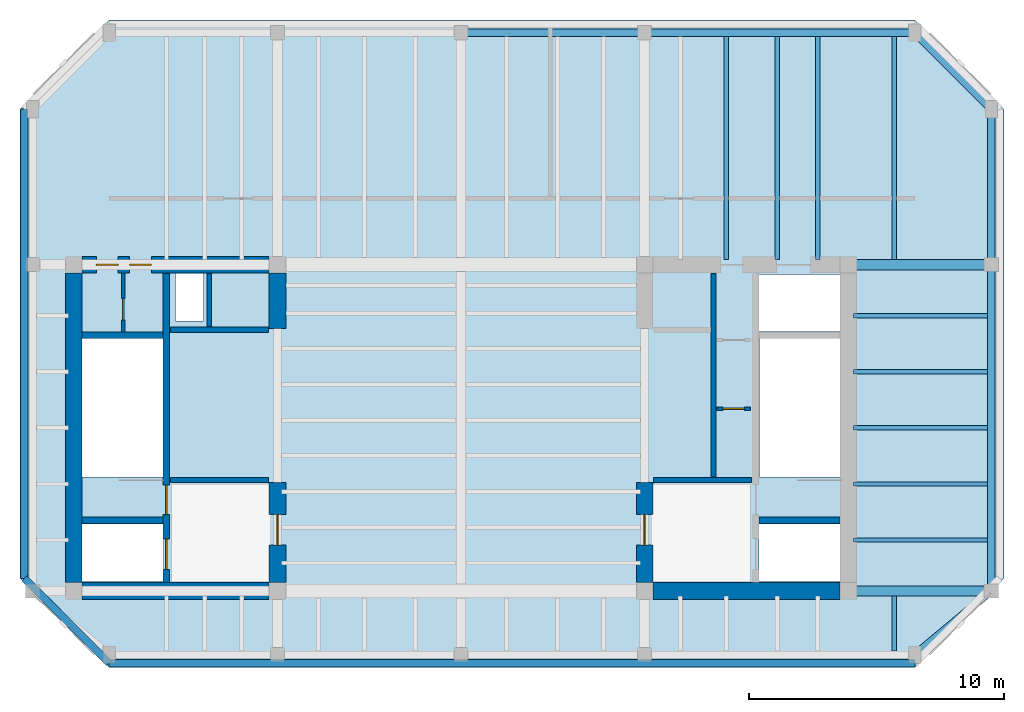
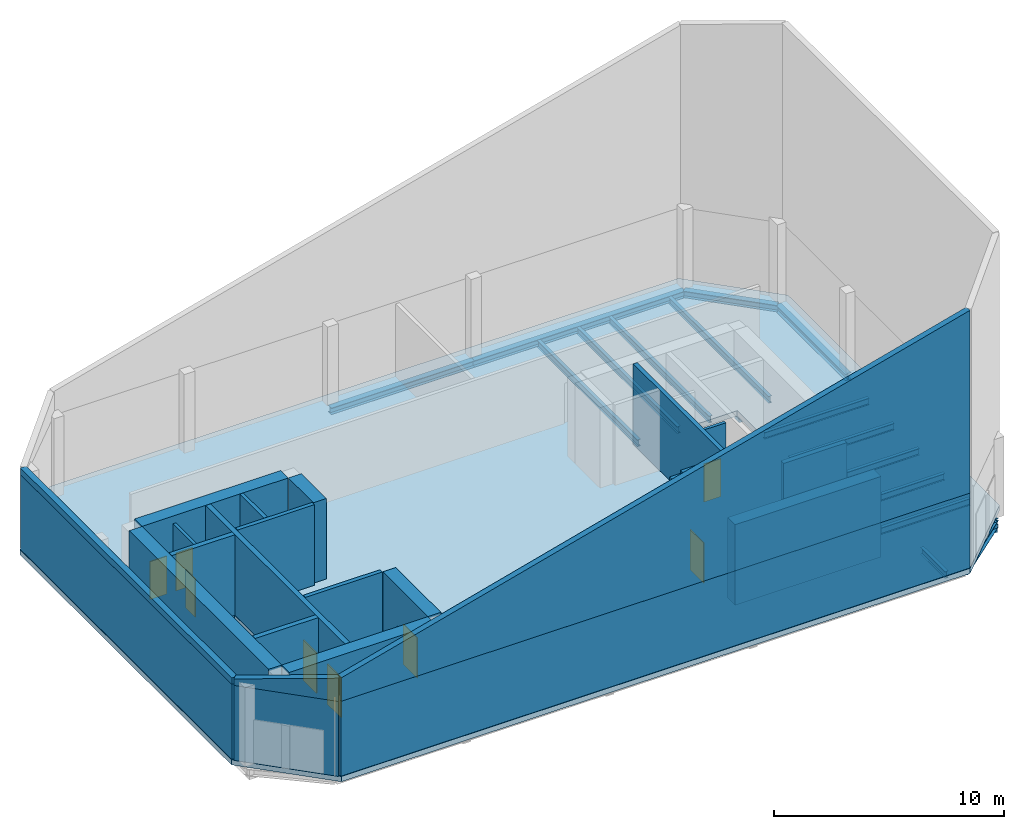
# One storey, part 2 of 4: 24 walls, 18 beams, 8 doors, 1 slab, 8 openings.
"""IFC4 building model written with IfcOpenShell, lengths in metres."""

from ifc_helpers import new_model, si_unit, direction, frame, frame_2d, origin, origin_2d, place, context, subcontext, project, spatial, polyline, rectangle, i_section, outline, extrude, material, layer, layer_set, material_profile, profile_set, type_object, element, fill, save


model = new_model("IFC4")

# Units and contexts
model_context = context("Model", 3, precision=1e-05, world=origin(), true_north=direction((0.0, 1.0)))
body_context = subcontext(model_context, "Body", "Model", "MODEL_VIEW")
ifc_project = project(units=[si_unit("LENGTHUNIT", "METRE"), si_unit("AREAUNIT", "SQUARE_METRE"), si_unit("VOLUMEUNIT", "CUBIC_METRE"), si_unit("PLANEANGLEUNIT", "RADIAN"), si_unit("MASSUNIT", "GRAM", prefix="KILO")], contexts=[model_context])

# Site, building, storey
site_placement = place(None, origin())
site = spatial("IfcSite", under=ifc_project, at=site_placement, CompositionType="ELEMENT")
building_placement = place(site_placement, origin())
building = spatial("IfcBuilding", under=site, at=building_placement, Name="Kranthara Brick Stack", CompositionType="ELEMENT")
storey_placement = place(building_placement, frame((0.0, 0.0, 309.0)))
storey = spatial("IfcBuildingStorey", under=building, at=storey_placement, Name="L81", CompositionType="ELEMENT", Elevation=309.0)

# Beams
ifc_material_1 = material(Name="Post-tensioned concrete C45/55", Category="concrete")
ifc_material_profile_1 = material_profile(ifc_material_1, rectangle(XDim=0.39990234375, YDim=0.550048828125, at=origin_2d()), Name="PT 400x550")
ifc_profile_set_1 = profile_set([ifc_material_profile_1], Name="Post-tensioned concrete C45/55")
beam_type_1 = type_object("IfcBeamType", Name="BM-FLR-PT550", PredefinedType="BEAM", material=ifc_profile_set_1)
for number, where, z_axis, x_axis, name in (
    (1, (43.199951171875, 20.800048828125, -0.554931640625), (1.0, 0.0, 0.0), (0.0, 1.0, 0.0), "L81 Primary Grid Girder 029"),
    (2, (43.199951171875, 33.60009765625, -0.554931640625), (1.0, 0.0, 0.0), (0.0, 1.0, 0.0), "L81 Primary Grid Girder 031"),
):
    element("IfcBeam", number, at=place(storey_placement, frame(where, z_axis=z_axis, x_axis=x_axis)), inside=storey, type_object=beam_type_1, Name=name, PredefinedType="BEAM", context=body_context, shape_type="SweptSolid", body=[
        extrude(rectangle(XDim=0.39990234375, YDim=0.550048828125, at=origin_2d()), origin(), (0.0, 0.0, 1.0), 5.60009765625),
    ])
ifc_material_2 = material(Name="Steel S355", Category="steel")
ifc_material_profile_2 = material_profile(ifc_material_2, i_section(OverallWidth=0.169921875, OverallDepth=0.360107421875, WebThickness=0.008056640625, FlangeThickness=0.0126953125, at=origin_2d()), Name="IPE 360")
ifc_profile_set_2 = profile_set([ifc_material_profile_2], Name="Steel S355")
beam_type_2 = type_object("IfcBeamType", Name="BM-JST-IPE360", PredefinedType="JOIST", material=ifc_profile_set_2)
for number, where, z_axis, x_axis, name in (
    (3, (38.39990234375, 33.800048828125, -0.4599609375), (0.0, 1.0, 0.0), (-1.0, 0.0, 0.0), "L81 North Wing Floor Joist 071"),
    (4, (40.39990234375, 33.800048828125, -0.4599609375), (0.0, 1.0, 0.0), (-1.0, 0.0, 0.0), "L81 North Wing Floor Joist 073"),
    (5, (42.0, 33.800048828125, -0.4599609375), (0.0, 1.0, 0.0), (-1.0, 0.0, 0.0), "L81 North Wing Floor Joist 075"),
):
    element("IfcBeam", number, at=place(storey_placement, frame(where, z_axis=z_axis, x_axis=x_axis)), inside=storey, type_object=beam_type_2, Name=name, PredefinedType="JOIST", context=body_context, shape_type="SweptSolid", body=[
        extrude(i_section(OverallWidth=0.169921875, OverallDepth=0.360107421875, WebThickness=0.008056640625, FlangeThickness=0.0126953125, at=origin_2d()), origin(), (0.0, 0.0, 1.0), 8.75),
    ])
beam_1_placement = place(storey_placement, frame((45.0, 18.449951171875, -0.4599609375), z_axis=(0.0, 1.0, 0.0), x_axis=(-1.0, 0.0, 0.0)))
element("IfcBeam", 6, at=beam_1_placement, inside=storey, type_object=beam_type_2, Name="L81 South Wing Floor Joist 076", PredefinedType="JOIST", context=body_context, shape_type="SweptSolid", body=[
    extrude(i_section(OverallWidth=0.169921875, OverallDepth=0.360107421875, WebThickness=0.008056640625, FlangeThickness=0.0126953125, at=origin_2d()), origin(), (0.0, 0.0, 1.0), 2.150146484375),
])
beam_2_placement = place(storey_placement, frame((45.0, 33.800048828125, -0.4599609375), z_axis=(0.0, 1.0, 0.0), x_axis=(-1.0, 0.0, 0.0)))
element("IfcBeam", 7, at=beam_2_placement, inside=storey, type_object=beam_type_2, Name="L81 North Wing Floor Joist 077", PredefinedType="JOIST", context=body_context, shape_type="SweptSolid", body=[
    extrude(i_section(OverallWidth=0.169921875, OverallDepth=0.360107421875, WebThickness=0.008056640625, FlangeThickness=0.0126953125, at=origin_2d()), origin(), (0.0, 0.0, 1.0), 8.75),
])
for number, where, z_axis, x_axis, name in (
    (8, (43.39990234375, 22.800048828125, -0.4599609375), (1.0, 0.0, 0.0), (0.0, 1.0, 0.0), "L81 East Wing Floor Joist 079"),
    (9, (43.39990234375, 25.0, -0.4599609375), (1.0, 0.0, 0.0), (0.0, 1.0, 0.0), "L81 East Wing Floor Joist 081"),
    (10, (43.39990234375, 27.199951171875, -0.4599609375), (1.0, 0.0, 0.0), (0.0, 1.0, 0.0), "L81 East Wing Floor Joist 083"),
    (11, (43.39990234375, 29.39990234375, -0.4599609375), (1.0, 0.0, 0.0), (0.0, 1.0, 0.0), "L81 East Wing Floor Joist 085"),
    (12, (43.39990234375, 31.60009765625, -0.4599609375), (1.0, 0.0, 0.0), (0.0, 1.0, 0.0), "L81 East Wing Floor Joist 087"),
):
    element("IfcBeam", number, at=place(storey_placement, frame(where, z_axis=z_axis, x_axis=x_axis)), inside=storey, type_object=beam_type_2, Name=name, PredefinedType="JOIST", context=body_context, shape_type="SweptSolid", body=[
        extrude(i_section(OverallWidth=0.169921875, OverallDepth=0.360107421875, WebThickness=0.008056640625, FlangeThickness=0.0126953125, at=origin_2d()), origin(), (0.0, 0.0, 1.0), 5.25),
    ])
ifc_material_3 = material(Name="Steel S355", Category="steel")
ifc_material_profile_3 = material_profile(ifc_material_3, i_section(OverallWidth=0.300048828125, OverallDepth=0.360107421875, WebThickness=0.012451171875, FlangeThickness=0.0224609375, at=origin_2d()), Name="HEB 360")
ifc_profile_set_3 = profile_set([ifc_material_profile_3], Name="Steel S355")
beam_type_3 = type_object("IfcBeamType", Name="BM-STL-HEB360", PredefinedType="SPANDREL", material=ifc_profile_set_3)
beam_3_placement = place(storey_placement, frame((28.0, 42.699951171875, -0.4599609375), z_axis=(1.0, 0.0, 0.0), x_axis=(0.0, 1.0, 0.0)))
element("IfcBeam", 13, at=beam_3_placement, inside=storey, type_object=beam_type_3, Name="L81 Perimeter Spandrel Beam 011", PredefinedType="SPANDREL", context=body_context, shape_type="SweptSolid", body=[
    extrude(i_section(OverallWidth=0.300048828125, OverallDepth=0.360107421875, WebThickness=0.012451171875, FlangeThickness=0.0224609375, at=origin_2d()), origin(), (0.0, 0.0, 1.0), 7.199951171875),
])
beam_4_placement = place(storey_placement, frame((35.199951171875, 42.699951171875, -0.4599609375), z_axis=(1.0, 0.0, 0.0), x_axis=(0.0, 1.0, 0.0)))
element("IfcBeam", 14, at=beam_4_placement, inside=storey, type_object=beam_type_3, Name="L81 Perimeter Spandrel Beam 012", PredefinedType="SPANDREL", context=body_context, shape_type="SweptSolid", body=[
    extrude(i_section(OverallWidth=0.300048828125, OverallDepth=0.360107421875, WebThickness=0.012451171875, FlangeThickness=0.0224609375, at=origin_2d()), origin(), (0.0, 0.0, 1.0), 10.60009765625),
])
beam_5_placement = place(storey_placement, frame((48.800048828125, 20.800048828125, -0.4599609375), z_axis=(0.0, 1.0, 0.0), x_axis=(-1.0, 0.0, 0.0)))
element("IfcBeam", 15, at=beam_5_placement, inside=storey, type_object=beam_type_3, Name="L81 Perimeter Spandrel Beam 015", PredefinedType="SPANDREL", context=body_context, shape_type="SweptSolid", body=[
    extrude(i_section(OverallWidth=0.300048828125, OverallDepth=0.360107421875, WebThickness=0.012451171875, FlangeThickness=0.0224609375, at=origin_2d()), origin(), (0.0, 0.0, 1.0), 12.800048828125),
])
beam_6_placement = place(storey_placement, frame((48.800048828125, 33.60009765625, -0.4599609375), z_axis=(0.0, 1.0, 0.0), x_axis=(-1.0, 0.0, 0.0)))
element("IfcBeam", 16, at=beam_6_placement, inside=storey, type_object=beam_type_3, Name="L81 Perimeter Spandrel Beam 016", PredefinedType="SPANDREL", context=body_context, shape_type="SweptSolid", body=[
    extrude(i_section(OverallWidth=0.300048828125, OverallDepth=0.360107421875, WebThickness=0.012451171875, FlangeThickness=0.0224609375, at=origin_2d()), origin(), (0.0, 0.0, 1.0), 6.099853515625),
])
beam_7_placement = place(storey_placement, frame((45.800048828125, 18.300048828125, -0.4599609375), z_axis=(0.768221279597, 0.640184399664, 0.0), x_axis=(-0.640184399664, 0.768221279597, 0.0)))
element("IfcBeam", 17, at=beam_7_placement, inside=storey, type_object=beam_type_3, Name="L81 Chamfer Corner Spandrel 018", PredefinedType="SPANDREL", context=body_context, shape_type="SweptSolid", body=[
    extrude(i_section(OverallWidth=0.300048828125, OverallDepth=0.360107421875, WebThickness=0.012451171875, FlangeThickness=0.0224609375, at=origin_2d()), origin(), (0.0, 0.0, 1.0), 3.905029296875),
])
beam_8_placement = place(storey_placement, frame((45.800048828125, 42.699951171875, -0.4599609375), z_axis=(0.707106781187, -0.707106781187, 0.0), x_axis=(0.707106781187, 0.707106781187, 0.0)))
element("IfcBeam", 18, at=beam_8_placement, inside=storey, type_object=beam_type_3, Name="L81 Chamfer Corner Spandrel 020", PredefinedType="SPANDREL", context=body_context, shape_type="SweptSolid", body=[
    extrude(i_section(OverallWidth=0.300048828125, OverallDepth=0.360107421875, WebThickness=0.012451171875, FlangeThickness=0.0224609375, at=origin_2d()), origin(), (0.0, 0.0, 1.0), 4.24267578125),
])

# Slab
ifc_material_4 = material(Name="Concrete C45/55", Category="concrete")
ifc_layer_1 = layer(ifc_material_4, 0.280029296875)
ifc_layer_set_1 = layer_set([ifc_layer_1], Name="Concrete C45/55")
slab_type = type_object("IfcSlabType", Name="SLB-CRN-280", PredefinedType="FLOOR", material=ifc_layer_set_1)
slab_placement = place(storey_placement, frame((0.0, 0.0, -0.280029296875)))
element("IfcSlab", 19, at=slab_placement, inside=storey, type_object=slab_type, Name="L81 Structural Floor Plate", PredefinedType="FLOOR", context=body_context, shape_type="SweptSolid", body=[
    extrude(outline(polyline([(14.199951171875, 17.800048828125), (45.800048828125, 17.800048828125), (49.300048828125, 21.300048828125), (49.300048828125, 39.699951171875), (45.800048828125, 43.199951171875), (14.199951171875, 43.199951171875), (10.699951171875, 39.699951171875), (10.699951171875, 21.300048828125), (14.199951171875, 17.800048828125)]), holes=[polyline([(13.10009765625, 25.280029296875), (16.300048828125, 25.280029296875), (16.300048828125, 30.75), (13.10009765625, 30.75), (13.10009765625, 25.280029296875)]), polyline([(39.699951171875, 25.280029296875), (42.89990234375, 25.280029296875), (42.89990234375, 30.75), (39.699951171875, 30.75), (39.699951171875, 25.280029296875)]), polyline([(13.0, 21.179931640625), (16.320068359375, 21.179931640625), (16.320068359375, 23.419921875), (13.0, 23.419921875), (13.0, 21.179931640625)]), polyline([(39.679931640625, 21.179931640625), (43.0, 21.179931640625), (43.0, 23.419921875), (39.679931640625, 23.419921875), (39.679931640625, 21.179931640625)]), polyline([(39.679931640625, 30.97998046875), (43.0, 30.97998046875), (43.0, 33.219970703125), (39.679931640625, 33.219970703125), (39.679931640625, 30.97998046875)]), polyline([(16.800048828125, 31.39990234375), (17.89990234375, 31.39990234375), (17.89990234375, 33.25), (16.800048828125, 33.25), (16.800048828125, 31.39990234375)])]), origin(), (0.0, 0.0, 1.0), 0.280029296875),
])

# Walls
ifc_material_5 = material(Name="Precast concrete C45/55", Category="concrete")
ifc_layer_2 = layer(ifc_material_5, 0.300048828125)
ifc_layer_set_2 = layer_set([ifc_layer_2], Name="Precast concrete C45/55")
wall_type_1 = type_object("IfcWallType", Name="WL-BRK-CRWN-300", PredefinedType="STANDARD", material=ifc_layer_set_2)
wall_1_placement = place(storey_placement, frame((45.800048828125, 17.969970703125, 0.0), z_axis=(0.0, 0.0, 1.0), x_axis=(-1.0, 0.0, 0.0)))
element("IfcWall", 20, at=wall_1_placement, inside=storey, type_object=wall_type_1, Name="L81 Exterior Brick Facade Wall SOUTH 1", PredefinedType="STANDARD", context=body_context, shape_type="SweptSolid", body=[
    extrude(rectangle(XDim=31.60009765625, YDim=0.300048828125, at=frame_2d((15.800048828125, 0.0))), origin(), (0.0, 0.0, 1.0), 3.97998046875),
])
wall_2_placement = place(storey_placement, frame((14.199951171875, 17.969970703125, 0.0), z_axis=(0.0, 0.0, 1.0), x_axis=(-0.707080859425, 0.707132701998, 0.0)))
element("IfcWall", 21, at=wall_2_placement, inside=storey, type_object=wall_type_1, Name="L81 Exterior Brick Facade Wall SW 1", PredefinedType="STANDARD", context=body_context, shape_type="SweptSolid", body=[
    extrude(rectangle(XDim=4.709228515625, YDim=0.300048828125, at=frame_2d((2.3544921875, 0.0))), origin(), (0.0, 0.0, 1.0), 3.97998046875),
])
wall_3_placement = place(storey_placement, frame((10.8701171875, 21.300048828125, 0.0), z_axis=(0.0, 0.0, 1.0), x_axis=(0.0, 1.0, 0.0)))
element("IfcWall", 22, at=wall_3_placement, inside=storey, type_object=wall_type_1, Name="L81 Exterior Brick Facade Wall WEST 1", PredefinedType="STANDARD", context=body_context, shape_type="SweptSolid", body=[
    extrude(rectangle(XDim=18.39990234375, YDim=0.300048828125, at=frame_2d((9.199951171875, 0.0))), origin(), (0.0, 0.0, 1.0), 3.97998046875),
])
wall_4_placement = place(storey_placement, frame((45.800048828125, 17.969970703125, 3.97998046875), z_axis=(0.0, 0.0, 1.0), x_axis=(-1.0, 0.0, 0.0)))
element("IfcWall", 23, at=wall_4_placement, inside=storey, type_object=wall_type_1, Name="L81 Slanted Crown Raked Enclosure Wall SOUTH", PredefinedType="STANDARD", context=body_context, shape_type="SweptSolid", body=[
    extrude(outline(polyline([(0.0, 0.0), (31.60009765625, 0.0), (31.60009765625, 1.23779296875), (0.0, 9.705078125), (0.0, 0.0)])), frame((0.0, 0.14990234375, 0.0), z_axis=(0.0, -1.0, 0.0), x_axis=(1.0, 0.0, 0.0)), (0.0, 0.0, 1.0), 0.300048828125),
])
wall_5_placement = place(storey_placement, frame((14.199951171875, 17.969970703125, 3.97998046875), z_axis=(0.0, 0.0, 1.0), x_axis=(-0.707080859425, 0.707132701998, 0.0)))
element("IfcWall", 24, at=wall_5_placement, inside=storey, type_object=wall_type_1, Name="L81 Slanted Crown Raked Enclosure Wall SW", PredefinedType="STANDARD", context=body_context, shape_type="SweptSolid", body=[
    extrude(outline(polyline([(0.0, 0.0), (4.709228515625, 0.0), (4.709228515625, 0.345703125), (0.0, 1.23779296875), (0.0, 0.0)])), frame((0.0, 0.14990234375, 0.0), z_axis=(0.0, -1.0, 0.0), x_axis=(1.0, 0.0, 0.0)), (0.0, 0.0, 1.0), 0.300048828125),
])
wall_6_placement = place(storey_placement, frame((10.8701171875, 21.300048828125, 3.97998046875), z_axis=(0.0, 0.0, 1.0), x_axis=(0.0, 1.0, 0.0)))
element("IfcWall", 25, at=wall_6_placement, inside=storey, type_object=wall_type_1, Name="L81 Slanted Crown Raked Enclosure Wall WEST", PredefinedType="STANDARD", context=body_context, shape_type="SweptSolid", body=[
    extrude(outline(polyline([(0.0, 0.0), (18.39990234375, 0.0), (18.39990234375, 0.345703125), (0.0, 0.345703125), (0.0, 0.0)])), frame((0.0, 0.14990234375, 0.0), z_axis=(0.0, -1.0, 0.0), x_axis=(1.0, 0.0, 0.0)), (0.0, 0.0, 1.0), 0.300048828125),
])

# Wall, openings, doors
ifc_material_6 = material(Name="Concrete C50/60", Category="concrete")
ifc_layer_3 = layer(ifc_material_6, 0.25)
ifc_layer_set_3 = layer_set([ifc_layer_3], Name="Concrete C50/60")
wall_type_2 = type_object("IfcWallType", Name="WL-CORE-250", PredefinedType="SHEAR", material=ifc_layer_set_3)
wall_7_placement = place(storey_placement, frame((16.43505859375, 21.135009765625, 0.0), z_axis=(0.0, 0.0, 1.0), x_axis=(0.0, 1.0, 0.0)))
wall_7 = element("IfcWall", 26, at=wall_7_placement, inside=storey, type_object=wall_type_2, Name="L81 West Core Stair Bearing Spine Wall", PredefinedType="SHEAR", context=body_context, shape_type="SweptSolid", body=[
    extrude(rectangle(XDim=12.1298828125, YDim=0.25, at=frame_2d((6.06494140625, 0.0))), origin(), (0.0, 0.0, 1.0), 4.280029296875),
])
opening_1_placement = place(wall_7_placement, frame((0.514892578125, 0.0, 0.0)))
opening_1 = element("IfcOpeningElement", 27, at=opening_1_placement, cuts=wall_7, Name="Opening LD01", PredefinedType="OPENING", context=body_context, shape_type="SweptSolid", body=[
    extrude(rectangle(XDim=1.199951171875, YDim=2.14990234375, at=frame_2d((0.60009765625, 1.074951171875))), frame((0.0, 0.135009765625, 0.0), z_axis=(0.0, -1.0, 0.0), x_axis=(1.0, 0.0, 0.0)), (0.0, 0.0, 1.0), 0.27001953125),
])
opening_2_placement = place(wall_7_placement, frame((2.6650390625, 0.0, 0.0)))
opening_2 = element("IfcOpeningElement", 28, at=opening_2_placement, cuts=wall_7, Name="Opening D05", PredefinedType="OPENING", context=body_context, shape_type="SweptSolid", body=[
    extrude(rectangle(XDim=1.14990234375, YDim=2.14990234375, at=frame_2d((0.574951171875, 1.074951171875))), frame((0.0, 0.135009765625, 0.0), z_axis=(0.0, -1.0, 0.0), x_axis=(1.0, 0.0, 0.0)), (0.0, 0.0, 1.0), 0.27001953125),
])
ifc_material_7 = material(Name="Stainless steel sliding landing door", Category="steel")
door_type_1 = type_object("IfcDoorType", Name="DR-LD-FF1200", OperationType="DOUBLE_DOOR_SLIDING", PredefinedType="DOOR", material=ifc_material_7)
door_1_placement = place(opening_1_placement, origin())
door_1 = element("IfcDoor", 29, at=door_1_placement, inside=storey, type_object=door_type_1, Name="L81 Firefighting Lift FF-01 Landing Door", OperationType="DOUBLE_DOOR_SLIDING", OverallHeight=2.14990234375, OverallWidth=1.199951171875, PredefinedType="DOOR", context=body_context, shape_type="SweptSolid", body=[
    extrude(rectangle(XDim=1.199951171875, YDim=2.14990234375, at=frame_2d((0.60009765625, 1.074951171875))), frame((0.0, 0.02490234375, 0.0), z_axis=(0.0, -1.0, 0.0), x_axis=(1.0, 0.0, 0.0)), (0.0, 0.0, 1.0), 0.050048828125),
])
fill(opening_1, door_1)
ifc_material_8 = material(Name="Solid-core hardwood timber leaf in steel frame", Category="steel")
door_type_2 = type_object("IfcDoorType", Name="DR-ST-1150", OperationType="NOTDEFINED", PredefinedType="DOOR", material=ifc_material_8)
door_2_placement = place(opening_2_placement, origin())
door_2 = element("IfcDoor", 30, at=door_2_placement, inside=storey, type_object=door_type_2, Name="L81 Exit Stair ST01 Door", OperationType="SINGLE_SWING_RIGHT", OverallHeight=2.14990234375, OverallWidth=1.14990234375, PredefinedType="DOOR", context=body_context, shape_type="SweptSolid", body=[
    extrude(rectangle(XDim=1.14990234375, YDim=2.14990234375, at=frame_2d((0.574951171875, 1.074951171875))), frame((0.0, 0.02490234375, 0.0), z_axis=(0.0, -1.0, 0.0), x_axis=(1.0, 0.0, 0.0)), (0.0, 0.0, 1.0), 0.050048828125),
])
fill(opening_2, door_2)

# Walls
for number, where, z_axis, x_axis, name in (
    (31, (13.135009765625, 23.570068359375, 0.0), (0.0, 0.0, 1.0), (1.0, 0.0, 0.0), "L81 West Stairwell Bearing Wall WFF"),
    (32, (13.135009765625, 30.830078125, 0.0), (0.0, 0.0, 1.0), (1.0, 0.0, 0.0), "L81 West Stairwell Bearing Wall WST"),
    (33, (39.68994140625, 23.570068359375, 0.0), (0.0, 0.0, 1.0), (1.0, 0.0, 0.0), "L81 East Stairwell Bearing Wall EFF"),
):
    element("IfcWall", number, at=place(storey_placement, frame(where, z_axis=z_axis, x_axis=x_axis)), inside=storey, type_object=wall_type_2, Name=name, PredefinedType="SHEAR", context=body_context, shape_type="SweptSolid", body=[
        extrude(rectangle(XDim=3.175048828125, YDim=0.25, at=frame_2d((1.58740234375, 0.0))), origin(), (0.0, 0.0, 1.0), 4.280029296875),
    ])
ifc_material_9 = material(Name="Concrete C60/75", Category="concrete")
ifc_layer_4 = layer(ifc_material_9, 0.64990234375)
ifc_layer_set_4 = layer_set([ifc_layer_4], Name="Concrete C60/75")
wall_type_3 = type_object("IfcWallType", Name="WL-CORE-650", PredefinedType="SHEAR", material=ifc_layer_set_4)
wall_8_placement = place(storey_placement, frame((12.800048828125, 21.1298828125, 0.0), z_axis=(0.0, 0.0, 1.0), x_axis=(0.0, 1.0, 0.0)))
element("IfcWall", 34, at=wall_8_placement, inside=storey, type_object=wall_type_3, Name="L81 West Core Shear Wall West", PredefinedType="SHEAR", context=body_context, shape_type="SweptSolid", body=[
    extrude(rectangle(XDim=12.14013671875, YDim=0.64990234375, at=frame_2d((6.070068359375, 0.0))), origin(), (0.0, 0.0, 1.0), 4.280029296875),
])
wall_9_placement = place(storey_placement, frame((13.1298828125, 20.800048828125, 0.0), z_axis=(0.0, 0.0, 1.0), x_axis=(1.0, 0.0, 0.0)))
element("IfcWall", 35, at=wall_9_placement, inside=storey, type_object=wall_type_3, Name="L81 West Core Shear Wall South", PredefinedType="SHEAR", context=body_context, shape_type="SweptSolid", body=[
    extrude(rectangle(XDim=7.340087890625, YDim=0.64990234375, at=frame_2d((3.669921875, 0.0))), origin(), (0.0, 0.0, 1.0), 4.280029296875),
])

# Wall, openings, doors
wall_10_placement = place(storey_placement, frame((13.1298828125, 33.60009765625, 0.0), z_axis=(0.0, 0.0, 1.0), x_axis=(1.0, 0.0, 0.0)))
wall_10 = element("IfcWall", 36, at=wall_10_placement, inside=storey, type_object=wall_type_3, Name="L81 West Core Shear Wall North", PredefinedType="SHEAR", context=body_context, shape_type="SweptSolid", body=[
    extrude(rectangle(XDim=7.340087890625, YDim=0.64990234375, at=frame_2d((3.669921875, 0.0))), origin(), (0.0, 0.0, 1.0), 4.280029296875),
])
opening_3_placement = place(wall_10_placement, frame((0.570068359375, 0.0, 0.0)))
opening_3 = element("IfcOpeningElement", 37, at=opening_3_placement, cuts=wall_10, Name="Opening D10", PredefinedType="OPENING", context=body_context, shape_type="SweptSolid", body=[
    extrude(rectangle(XDim=0.85009765625, YDim=2.02001953125, at=frame_2d((0.425048828125, 1.010009765625))), frame((0.0, 0.3349609375, 0.0), z_axis=(0.0, -1.0, 0.0), x_axis=(1.0, 0.0, 0.0)), (0.0, 0.0, 1.0), 0.669921875),
])
opening_4_placement = place(wall_10_placement, frame((1.8701171875, 0.0, 0.0)))
opening_4 = element("IfcOpeningElement", 38, at=opening_4_placement, cuts=wall_10, Name="Opening D10", PredefinedType="OPENING", context=body_context, shape_type="SweptSolid", body=[
    extrude(rectangle(XDim=0.85009765625, YDim=2.02001953125, at=frame_2d((0.425048828125, 1.010009765625))), frame((0.0, 0.3349609375, 0.0), z_axis=(0.0, -1.0, 0.0), x_axis=(1.0, 0.0, 0.0)), (0.0, 0.0, 1.0), 0.669921875),
])
ifc_material_10 = material(Name="Solid-core hardwood timber leaf in steel frame", Category="steel")
door_type_3 = type_object("IfcDoorType", Name="DR-RSR-850", OperationType="NOTDEFINED", PredefinedType="DOOR", material=ifc_material_10)
door_3_placement = place(opening_3_placement, origin())
door_3 = element("IfcDoor", 39, at=door_3_placement, inside=storey, type_object=door_type_3, Name="L81 West Core Service Door 1", OperationType="SINGLE_SWING_LEFT", OverallHeight=2.02001953125, OverallWidth=0.85009765625, PredefinedType="DOOR", context=body_context, shape_type="SweptSolid", body=[
    extrude(rectangle(XDim=0.85009765625, YDim=2.02001953125, at=frame_2d((0.425048828125, 1.010009765625))), frame((0.0, 0.02490234375, 0.0), z_axis=(0.0, -1.0, 0.0), x_axis=(1.0, 0.0, 0.0)), (0.0, 0.0, 1.0), 0.050048828125),
])
fill(opening_3, door_3)
door_4_placement = place(opening_4_placement, origin())
door_4 = element("IfcDoor", 40, at=door_4_placement, inside=storey, type_object=door_type_3, Name="L81 West Core Service Door 2", OperationType="SINGLE_SWING_RIGHT", OverallHeight=2.02001953125, OverallWidth=0.85009765625, PredefinedType="DOOR", context=body_context, shape_type="SweptSolid", body=[
    extrude(rectangle(XDim=0.85009765625, YDim=2.02001953125, at=frame_2d((0.425048828125, 1.010009765625))), frame((0.0, 0.02490234375, 0.0), z_axis=(0.0, -1.0, 0.0), x_axis=(1.0, 0.0, 0.0)), (0.0, 0.0, 1.0), 0.050048828125),
])
fill(opening_4, door_4)

# Wall, opening, door
wall_11_placement = place(storey_placement, frame((20.800048828125, 21.1298828125, 0.0), z_axis=(0.0, 0.0, 1.0), x_axis=(0.0, 1.0, 0.0)))
wall_11 = element("IfcWall", 41, at=wall_11_placement, inside=storey, type_object=wall_type_3, Name="L81 West Core Lobby Shear Wall", PredefinedType="SHEAR", context=body_context, shape_type="SweptSolid", body=[
    extrude(rectangle(XDim=3.920166015625, YDim=0.64990234375, at=frame_2d((1.9599609375, 0.0))), origin(), (0.0, 0.0, 1.0), 4.280029296875),
])
opening_5_placement = place(wall_11_placement, frame((1.469970703125, 0.0, 0.0)))
opening_5 = element("IfcOpeningElement", 42, at=opening_5_placement, cuts=wall_11, Name="Opening D06", PredefinedType="OPENING", context=body_context, shape_type="SweptSolid", body=[
    extrude(rectangle(XDim=1.199951171875, YDim=2.14990234375, at=frame_2d((0.60009765625, 1.074951171875))), frame((0.0, 0.3349609375, 0.0), z_axis=(0.0, -1.0, 0.0), x_axis=(1.0, 0.0, 0.0)), (0.0, 0.0, 1.0), 0.669921875),
])
ifc_material_11 = material(Name="Solid-core hardwood timber leaf in steel frame", Category="steel")
door_type_4 = type_object("IfcDoorType", Name="DR-FFL-1200", OperationType="NOTDEFINED", PredefinedType="DOOR", material=ifc_material_11)
door_5_placement = place(opening_5_placement, origin())
door_5 = element("IfcDoor", 43, at=door_5_placement, inside=storey, type_object=door_type_4, Name="L81 West Firefighting Lobby Door", OperationType="SINGLE_SWING_LEFT", OverallHeight=2.14990234375, OverallWidth=1.199951171875, PredefinedType="DOOR", context=body_context, shape_type="SweptSolid", body=[
    extrude(rectangle(XDim=1.199951171875, YDim=2.14990234375, at=frame_2d((0.60009765625, 1.074951171875))), frame((0.0, 0.02490234375, 0.0), z_axis=(0.0, -1.0, 0.0), x_axis=(1.0, 0.0, 0.0)), (0.0, 0.0, 1.0), 0.050048828125),
])
fill(opening_5, door_5)

# Walls
wall_12_placement = place(storey_placement, frame((20.800048828125, 31.10009765625, 0.0), z_axis=(0.0, 0.0, 1.0), x_axis=(0.0, 1.0, 0.0)))
element("IfcWall", 44, at=wall_12_placement, inside=storey, type_object=wall_type_3, Name="L81 West Core High-Rise Lift Wall", PredefinedType="SHEAR", context=body_context, shape_type="SweptSolid", body=[
    extrude(rectangle(XDim=2.169921875, YDim=0.64990234375, at=frame_2d((1.0849609375, 0.0))), origin(), (0.0, 0.0, 1.0), 4.280029296875),
])
wall_13_placement = place(storey_placement, frame((35.530029296875, 20.800048828125, 0.0), z_axis=(0.0, 0.0, 1.0), x_axis=(1.0, 0.0, 0.0)))
element("IfcWall", 45, at=wall_13_placement, inside=storey, type_object=wall_type_3, Name="L81 East Core Shear Wall South", PredefinedType="SHEAR", context=body_context, shape_type="SweptSolid", body=[
    extrude(rectangle(XDim=7.340087890625, YDim=0.64990234375, at=frame_2d((3.669921875, 0.0))), origin(), (0.0, 0.0, 1.0), 4.280029296875),
])

# Wall, opening, door
wall_14_placement = place(storey_placement, frame((35.199951171875, 21.1298828125, 0.0), z_axis=(0.0, 0.0, 1.0), x_axis=(0.0, 1.0, 0.0)))
wall_14 = element("IfcWall", 46, at=wall_14_placement, inside=storey, type_object=wall_type_3, Name="L81 East Core Lobby Shear Wall", PredefinedType="SHEAR", context=body_context, shape_type="SweptSolid", body=[
    extrude(rectangle(XDim=3.920166015625, YDim=0.64990234375, at=frame_2d((1.9599609375, 0.0))), origin(), (0.0, 0.0, 1.0), 4.280029296875),
])
opening_6_placement = place(wall_14_placement, frame((1.469970703125, 0.0, 0.0)))
opening_6 = element("IfcOpeningElement", 47, at=opening_6_placement, cuts=wall_14, Name="Opening D06", PredefinedType="OPENING", context=body_context, shape_type="SweptSolid", body=[
    extrude(rectangle(XDim=1.199951171875, YDim=2.14990234375, at=frame_2d((0.60009765625, 1.074951171875))), frame((0.0, 0.3349609375, 0.0), z_axis=(0.0, -1.0, 0.0), x_axis=(1.0, 0.0, 0.0)), (0.0, 0.0, 1.0), 0.669921875),
])
door_6_placement = place(opening_6_placement, origin())
door_6 = element("IfcDoor", 48, at=door_6_placement, inside=storey, type_object=door_type_4, Name="L81 East Firefighting Lobby Door", OperationType="SINGLE_SWING_RIGHT", OverallHeight=2.14990234375, OverallWidth=1.199951171875, PredefinedType="DOOR", context=body_context, shape_type="SweptSolid", body=[
    extrude(rectangle(XDim=1.199951171875, YDim=2.14990234375, at=frame_2d((0.60009765625, 1.074951171875))), frame((0.0, 0.02490234375, 0.0), z_axis=(0.0, -1.0, 0.0), x_axis=(1.0, 0.0, 0.0)), (0.0, 0.0, 1.0), 0.050048828125),
])
fill(opening_6, door_6)

ifc_material_12 = material(Name="Fire-rated gypsum board partition", Category="other")
ifc_layer_5 = layer(ifc_material_12, 0.14990234375)
ifc_layer_set_5 = layer_set([ifc_layer_5], Name="Fire-rated gypsum board partition")
wall_type_4 = type_object("IfcWallType", Name="WL-PART-150", PredefinedType="PARTITIONING", material=ifc_layer_set_5)
wall_15_placement = place(storey_placement, frame((14.75, 30.9599609375, 0.0), z_axis=(0.0, 0.0, 1.0), x_axis=(0.0, 1.0, 0.0)))
wall_15 = element("IfcWall", 49, at=wall_15_placement, inside=storey, type_object=wall_type_4, Name="L81 Interior Partition 001", PredefinedType="PARTITIONING", context=body_context, shape_type="SweptSolid", body=[
    extrude(rectangle(XDim=2.31005859375, YDim=0.14990234375, at=frame_2d((1.155029296875, 0.0))), origin(), (0.0, 0.0, 1.0), 3.8798828125),
])
opening_7_placement = place(wall_15_placement, frame((0.469970703125, 0.0, 0.0)))
opening_7 = element("IfcOpeningElement", 50, at=opening_7_placement, cuts=wall_15, Name="Opening D10", PredefinedType="OPENING", context=body_context, shape_type="SweptSolid", body=[
    extrude(rectangle(XDim=0.85009765625, YDim=2.02001953125, at=frame_2d((0.425048828125, 1.010009765625))), frame((0.0, 0.0849609375, 0.0), z_axis=(0.0, -1.0, 0.0), x_axis=(1.0, 0.0, 0.0)), (0.0, 0.0, 1.0), 0.169921875),
])
door_7_placement = place(opening_7_placement, origin())
door_7 = element("IfcDoor", 51, at=door_7_placement, inside=storey, type_object=door_type_3, Name="L81 Service Interconnect 01", OperationType="SINGLE_SWING_LEFT", OverallHeight=2.02001953125, OverallWidth=0.85009765625, PredefinedType="DOOR", context=body_context, shape_type="SweptSolid", body=[
    extrude(rectangle(XDim=0.85009765625, YDim=2.02001953125, at=frame_2d((0.425048828125, 1.010009765625))), frame((0.0, 0.02490234375, 0.0), z_axis=(0.0, -1.0, 0.0), x_axis=(1.0, 0.0, 0.0)), (0.0, 0.0, 1.0), 0.050048828125),
])
fill(opening_7, door_7)

wall_16_placement = place(storey_placement, frame((38.050048828125, 27.949951171875, 0.0), z_axis=(0.0, 0.0, 1.0), x_axis=(1.0, 0.0, 0.0)))
wall_16 = element("IfcWall", 52, at=wall_16_placement, inside=storey, type_object=wall_type_4, Name="L81 Interior Partition 002", PredefinedType="PARTITIONING", context=body_context, shape_type="SweptSolid", body=[
    extrude(rectangle(XDim=1.300048828125, YDim=0.14990234375, at=frame_2d((0.64990234375, 0.0))), origin(), (0.0, 0.0, 1.0), 3.8798828125),
])
opening_8_placement = place(wall_16_placement, frame((0.219970703125, 0.0, 0.0)))
opening_8 = element("IfcOpeningElement", 53, at=opening_8_placement, cuts=wall_16, Name="Opening D10", PredefinedType="OPENING", context=body_context, shape_type="SweptSolid", body=[
    extrude(rectangle(XDim=0.85009765625, YDim=2.02001953125, at=frame_2d((0.425048828125, 1.010009765625))), frame((0.0, 0.0849609375, 0.0), z_axis=(0.0, -1.0, 0.0), x_axis=(1.0, 0.0, 0.0)), (0.0, 0.0, 1.0), 0.169921875),
])
door_8_placement = place(opening_8_placement, origin())
door_8 = element("IfcDoor", 54, at=door_8_placement, inside=storey, type_object=door_type_3, Name="L81 Riser Door 1 02", OperationType="SINGLE_SWING_RIGHT", OverallHeight=2.02001953125, OverallWidth=0.85009765625, PredefinedType="DOOR", context=body_context, shape_type="SweptSolid", body=[
    extrude(rectangle(XDim=0.85009765625, YDim=2.02001953125, at=frame_2d((0.425048828125, 1.010009765625))), frame((0.0, 0.02490234375, 0.0), z_axis=(0.0, -1.0, 0.0), x_axis=(1.0, 0.0, 0.0)), (0.0, 0.0, 1.0), 0.050048828125),
])
fill(opening_8, door_8)

# Walls
ifc_material_13 = material(Name="Gypsum plasterboard on acoustic twin stud", Category="other")
ifc_layer_6 = layer(ifc_material_13, 0.179931640625)
ifc_layer_set_6 = layer_set([ifc_layer_6], Name="Gypsum plasterboard on acoustic twin stud")
wall_type_5 = type_object("IfcWallType", Name="WL-PART-180", PredefinedType="PARTITIONING", material=ifc_layer_set_6)
wall_17_placement = place(storey_placement, frame((18.1201171875, 31.169921875, 0.0), z_axis=(0.0, 0.0, 1.0), x_axis=(0.0, 1.0, 0.0)))
element("IfcWall", 55, at=wall_17_placement, inside=storey, type_object=wall_type_5, Name="L81 PL-07 Shaft Back Wall", PredefinedType="PARTITIONING", context=body_context, shape_type="SweptSolid", body=[
    extrude(rectangle(XDim=2.094970703125, YDim=0.179931640625, at=frame_2d((1.04736328125, 0.0))), origin(), (0.0, 0.0, 1.0), 4.280029296875),
])
ifc_material_14 = material(Name="Concrete C40/50", Category="concrete")
ifc_layer_7 = layer(ifc_material_14, 0.199951171875)
ifc_layer_set_7 = layer_set([ifc_layer_7], Name="Concrete C40/50")
wall_type_6 = type_object("IfcWallType", Name="WL-PART-200", PredefinedType="SOLIDWALL", material=ifc_layer_set_7)
for number, where, z_axis, x_axis, name in (
    (56, (16.60009765625, 25.14990234375, 0.0), (0.0, 0.0, 1.0), (1.0, 0.0, 0.0), "L81 West Core Cross Wall WFL"),
    (57, (16.60009765625, 31.050048828125, 0.0), (0.0, 0.0, 1.0), (1.0, 0.0, 0.0), "L81 West Core Cross Wall WH4"),
    (58, (35.550048828125, 25.14990234375, 0.0), (0.0, 0.0, 1.0), (1.0, 0.0, 0.0), "L81 East Core Cross Wall EFL"),
):
    element("IfcWall", number, at=place(storey_placement, frame(where, z_axis=z_axis, x_axis=x_axis)), inside=storey, type_object=wall_type_6, Name=name, PredefinedType="SOLIDWALL", context=body_context, shape_type="SweptSolid", body=[
        extrude(rectangle(XDim=3.849853515625, YDim=0.199951171875, at=frame_2d((1.9248046875, 0.0))), origin(), (0.0, 0.0, 1.0), 4.280029296875),
    ])
wall_18_placement = place(storey_placement, frame((37.89990234375, 25.27001953125, 0.0), z_axis=(0.0, 0.0, 1.0), x_axis=(0.0, 1.0, 0.0)))
element("IfcWall", 59, at=wall_18_placement, inside=storey, type_object=wall_type_6, Name="L81 East Core Cross Wall ESV", PredefinedType="SOLIDWALL", context=body_context, shape_type="SweptSolid", body=[
    extrude(rectangle(XDim=7.994873046875, YDim=0.199951171875, at=frame_2d((3.99755859375, 0.0))), origin(), (0.0, 0.0, 1.0), 4.280029296875),
])

save(model, "model.ifc")
